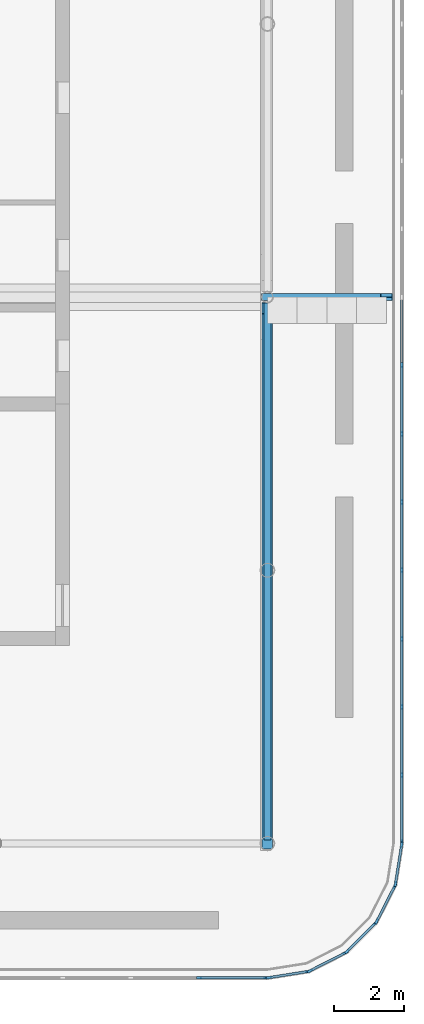
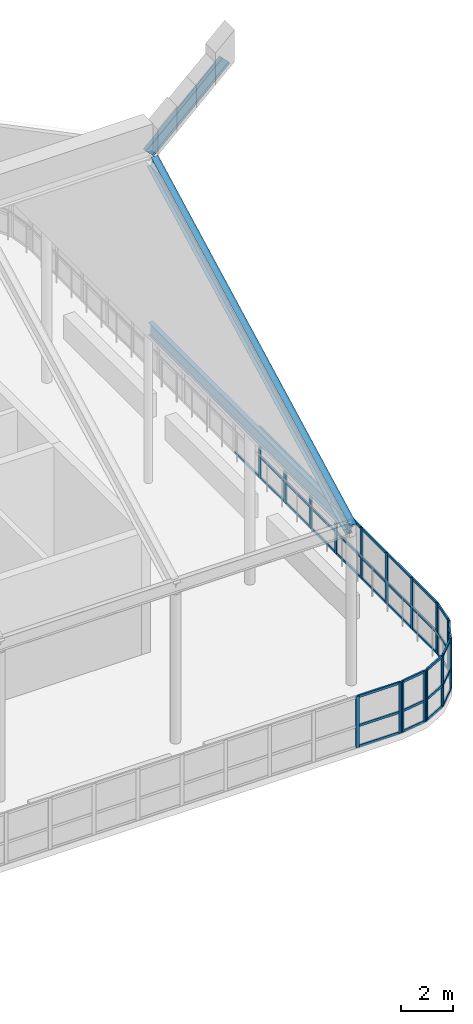
# One storey, part 9 of 19: 60 members, 3 beams, 7 elements without a shape of their own.
"""IFC4 building model written with IfcOpenShell, lengths in metres."""

import ifcopenshell
import ifcopenshell.guid

model = None  # the IFC model being written
_history = None  # IfcOwnerHistory: only IFC2X3 demands one
_inside = {}  # id of a spatial element -> (the spatial element, [elements in it])
_under = {}  # id of a project, library or spatial element -> (it, [spatial elements below it])
_declared = {}  # id of a project -> (the project, [libraries it declares])
_typed = {}  # id of a type object -> (the type object, [elements of that type])
_made_of = {}  # id of a material, layer set ... -> (it, [elements and type objects made of it])


def new_model(schema):
    """Start an empty IFC model of exactly this schema.

    Asked for "IFC4X3", IfcOpenShell would pick the latest addendum, in which some entities
    have other attributes; the version numbers below select the first issue.
    IFC2X3 requires an IfcOwnerHistory on every rooted entity: one is made here for all.
    """
    global model, _history
    if schema == "IFC4X3":
        model = ifcopenshell.file(schema_version=(4, 3, 0, 0))
    else:
        model = ifcopenshell.file(schema=schema)
    _inside.clear()
    _under.clear()
    _declared.clear()
    _typed.clear()
    _made_of.clear()
    _history = None
    if model.schema == "IFC2X3":
        org = make("IfcOrganization", Name="unknown")
        user = make(
            "IfcPersonAndOrganization",
            ThePerson=make("IfcPerson", FamilyName="unknown"),
            TheOrganization=org,
        )
        app = make(
            "IfcApplication",
            ApplicationDeveloper=org,
            Version="unknown",
            ApplicationFullName="unknown",
            ApplicationIdentifier="unknown",
        )
        _history = make(
            "IfcOwnerHistory",
            OwningUser=user,
            OwningApplication=app,
            ChangeAction="ADDED",
            CreationDate=0,
        )
    return model


def make(cls, **values):
    """One entity of the class cls with the attributes given. An attribute that is None is left unset."""
    return model.create_entity(
        cls, **{name: value for name, value in values.items() if value is not None}
    )


def rooted(cls, **values):
    """An entity with a GlobalId (a new one), such as an element, a storey or a relation."""
    return make(cls, GlobalId=ifcopenshell.guid.new(), OwnerHistory=_history, **values)


def si_unit(unit_type, name, prefix=None):
    """IfcSIUnit, for example si_unit("LENGTHUNIT", "METRE", prefix="MILLI")."""
    return make("IfcSIUnit", UnitType=unit_type, Prefix=prefix, Name=name)


def assignment(units):
    """IfcUnitAssignment: the units of a project."""
    return None if units is None else make("IfcUnitAssignment", Units=units)


def point(xyz):
    """IfcCartesianPoint."""
    return None if xyz is None else make("IfcCartesianPoint", Coordinates=xyz)


def direction(xyz):
    """IfcDirection."""
    return None if xyz is None else make("IfcDirection", DirectionRatios=xyz)


def frame(location, z_axis=None, x_axis=None):
    """IfcAxis2Placement3D, a coordinate frame: its origin and axes. An axis left out is left unset."""
    return make(
        "IfcAxis2Placement3D",
        Location=point(location),
        Axis=direction(z_axis),
        RefDirection=direction(x_axis),
    )


def frame_2d(location, x_axis=None):
    """IfcAxis2Placement2D, a coordinate frame in the plane: its origin and x axis."""
    return make(
        "IfcAxis2Placement2D", Location=point(location), RefDirection=direction(x_axis)
    )


def origin():
    """The frame at (0, 0, 0) with its axes left unset."""
    return frame((0.0, 0.0, 0.0))


def origin_2d():
    """The frame at (0, 0) in the plane with its x axis left unset."""
    return frame_2d((0.0, 0.0))


def place(relative_to, where):
    """IfcLocalPlacement: puts the frame where relative to a parent placement (None: the world)."""
    return make(
        "IfcLocalPlacement", PlacementRelTo=relative_to, RelativePlacement=where
    )


def context(
    kind, dimensions, precision=None, world=None, true_north=None, identifier=None
):
    """IfcGeometricRepresentationContext, for example the 3D "Model" context."""
    return make(
        "IfcGeometricRepresentationContext",
        ContextIdentifier=identifier,
        ContextType=kind,
        CoordinateSpaceDimension=dimensions,
        Precision=precision,
        WorldCoordinateSystem=world,
        TrueNorth=true_north,
    )


def subcontext(parent, identifier, kind, view, scale=None):
    """IfcGeometricRepresentationSubContext, for example "Body" below "Model"."""
    return make(
        "IfcGeometricRepresentationSubContext",
        ContextIdentifier=identifier,
        ContextType=kind,
        ParentContext=parent,
        TargetScale=scale,
        TargetView=view,
    )


def project(units=None, contexts=None):
    """IfcProject with its units and contexts."""
    return rooted(
        "IfcProject",
        Name="project",
        RepresentationContexts=contexts,
        UnitsInContext=assignment(units),
    )


def spatial(cls, under=None, at=None, **own):
    """A site, building, storey or space (cls), placed at a placement, below another one or the project."""
    s = rooted(cls, ObjectPlacement=at, **own)
    if under is not None:
        _under.setdefault(under.id(), (under, []))[1].append(s)
    return s


def profile(cls, at=None, kind="AREA", **sizes):
    """A parametric profile (cls). Its sizes go by their IFC names, for example OverallWidth=200.0."""
    return make(cls, ProfileType=kind, Position=at, **sizes)


def rectangle(**sizes):
    """IfcRectangleProfileDef."""
    return profile("IfcRectangleProfileDef", **sizes)


def i_section(**sizes):
    """IfcIShapeProfileDef."""
    return profile("IfcIShapeProfileDef", **sizes)


def extrude(swept, where, along, depth):
    """IfcExtrudedAreaSolid: the profile swept, set in the frame where, extruded along a direction by depth."""
    return make(
        "IfcExtrudedAreaSolid",
        SweptArea=swept,
        Position=where,
        ExtrudedDirection=direction(along),
        Depth=depth,
    )


def shape(context_of_items, identifier, shape_type, items):
    """IfcShapeRepresentation: the items that make up one representation, for example the "Body"."""
    return make(
        "IfcShapeRepresentation",
        ContextOfItems=context_of_items,
        RepresentationIdentifier=identifier,
        RepresentationType=shape_type,
        Items=items,
    )


def material(Name=None, Category=None):
    """IfcMaterial."""
    return make("IfcMaterial", Name=Name, Category=Category)


def material_profile(
    of_material, cross_section, Name=None, Category=None, Priority=None
):
    """IfcMaterialProfile: a cross section and its material."""
    return make(
        "IfcMaterialProfile",
        Name=Name,
        Material=of_material,
        Profile=cross_section,
        Priority=Priority,
        Category=Category,
    )


def profile_set(profiles, Name=None, composite=None):
    """IfcMaterialProfileSet."""
    return make(
        "IfcMaterialProfileSet",
        Name=Name,
        MaterialProfiles=profiles,
        CompositeProfile=composite,
    )


def made_of(thing, what):
    """Note that an element or type object is made of a material, layer set ...; save() writes the relation."""
    if what is not None:
        _made_of.setdefault(what.id(), (what, []))[1].append(thing)
    return thing


def type_object(cls, material=None, **own):
    """A type object (cls), such as IfcWallType, which elements share."""
    return made_of(rooted(cls, **own), material)


def element(
    cls,
    number,
    at=None,
    inside=None,
    cuts=None,
    type_object=None,
    material=None,
    context=None,
    identifier="Body",
    shape_type=None,
    held_by="IfcProductDefinitionShape",
    body=None,
    shapes=None,
    **own,
):
    """One element of the class cls, such as IfcWall. Its Tag is "e" and its number.

    at: its placement. inside: the storey or other place that contains it. cuts: it is an
    opening in that element (IfcRelVoidsElement). A single representation is given by context,
    identifier, shape_type and body (its items); several are given by shapes. held_by: the class
    of the entity that holds the representations. save() writes the other relations.
    """
    e = rooted(cls, Tag="e%d" % number, ObjectPlacement=at, **own)
    if body is not None:
        shapes = [shape(context, identifier, shape_type, body)]
    if shapes is not None:
        e.Representation = make(held_by, Representations=shapes)
    if inside is not None:
        _inside.setdefault(inside.id(), (inside, []))[1].append(e)
    if cuts is not None:
        rooted(
            "IfcRelVoidsElement", RelatingBuildingElement=cuts, RelatedOpeningElement=e
        )
    if type_object is not None:
        _typed.setdefault(type_object.id(), (type_object, []))[1].append(e)
    return made_of(e, material)


def aggregate(whole, parts):
    """IfcRelAggregates: a whole, such as a stair, and the parts it consists of."""
    return rooted("IfcRelAggregates", RelatingObject=whole, RelatedObjects=parts)


def save(model, path):
    """Write the relations noted so far, then the file.

    IfcRelAggregates (storeys below a building ...), IfcRelContainedInSpatialStructure (elements
    in a storey), IfcRelDefinesByType, IfcRelAssociatesMaterial and IfcRelDeclares: one each for
    every whole, place, type object, material and project.
    """
    for whole, parts in _under.values():
        aggregate(whole, parts)
    for where, things in _inside.values():
        rooted(
            "IfcRelContainedInSpatialStructure",
            RelatedElements=things,
            RelatingStructure=where,
        )
    for kind, things in _typed.values():
        rooted("IfcRelDefinesByType", RelatedObjects=things, RelatingType=kind)
    for what, things in _made_of.values():
        rooted("IfcRelAssociatesMaterial", RelatedObjects=things, RelatingMaterial=what)
    for by, libraries in _declared.values():
        rooted("IfcRelDeclares", RelatingContext=by, RelatedDefinitions=libraries)
    model.write(path)


model = new_model("IFC4")

# Units and contexts
model_context = context("Model", 3, precision=1e-05, world=origin(), true_north=direction((0.0, 1.0)))
body_context = subcontext(model_context, "Body", "Model", "MODEL_VIEW")
ifc_project = project(units=[si_unit("LENGTHUNIT", "METRE"), si_unit("AREAUNIT", "SQUARE_METRE"), si_unit("VOLUMEUNIT", "CUBIC_METRE"), si_unit("PLANEANGLEUNIT", "RADIAN"), si_unit("MASSUNIT", "GRAM", prefix="KILO")], contexts=[model_context])

# Site, building, storey
site_placement = place(None, origin())
site = spatial("IfcSite", under=ifc_project, at=site_placement, CompositionType="ELEMENT")
building_placement = place(site_placement, origin())
building = spatial("IfcBuilding", under=site, at=building_placement, Name="Ludao Terraces", CompositionType="ELEMENT")
storey_placement = place(building_placement, frame((0.0, 0.0, 266.39990234375)))
storey = spatial("IfcBuildingStorey", under=building, at=storey_placement, Name="L73", CompositionType="ELEMENT", Elevation=266.39990234375)

# Beams
ifc_material_1 = material(Name="Steel Q355", Category="steel")
ifc_material_profile_1 = material_profile(ifc_material_1, i_section(OverallWidth=0.199951171875, OverallDepth=0.60009765625, WebThickness=0.010986328125, FlangeThickness=0.01708984375, at=origin_2d()), Name="HN 600X200X11X17")
ifc_profile_set_1 = profile_set([ifc_material_profile_1], Name="Steel Q355")
beam_type_1 = type_object("IfcBeamType", Name="Canopy eave beam HN 600x200x11x17 Q355", PredefinedType="BEAM", material=ifc_profile_set_1)
beam_1_placement = place(storey_placement, frame((100.60009765625, 49.5, 7.29541015625), z_axis=(0.0, 1.0, 0.0), x_axis=(-1.0, 0.0, 0.0)))
element("IfcBeam", 1, at=beam_1_placement, inside=storey, type_object=beam_type_1, Name="Gable tie beam E south", PredefinedType="BEAM", context=body_context, shape_type="SweptSolid", body=[
    extrude(i_section(OverallWidth=0.199951171875, OverallDepth=0.60009765625, WebThickness=0.010986328125, FlangeThickness=0.01708984375, at=origin_2d()), origin(), (0.0, 0.0, 1.0), 15.33251953125),
])
ifc_material_profile_2 = material_profile(ifc_material_1, i_section(OverallWidth=0.300048828125, OverallDepth=0.699951171875, WebThickness=0.012939453125, FlangeThickness=0.02392578125, at=origin_2d()), Name="HN 700X300X13X24")
ifc_profile_set_2 = profile_set([ifc_material_profile_2], Name="Steel Q355")
beam_type_2 = type_object("IfcBeamType", Name="Canopy rafter HN 700x300x13x24 Q355", PredefinedType="BEAM", material=ifc_profile_set_2)
beam_2_placement = place(storey_placement, frame((100.60009765625, 49.39990234375, 7.2001953125), z_axis=(0.0, 0.885170238138, 0.465267288249), x_axis=(-1.0, 0.0, 0.0)))
element("IfcBeam", 2, at=beam_2_placement, inside=storey, type_object=beam_type_2, Name="Canopy rafter south 390", PredefinedType="BEAM", context=body_context, shape_type="SweptSolid", body=[
    extrude(i_section(OverallWidth=0.300048828125, OverallDepth=0.699951171875, WebThickness=0.012939453125, FlangeThickness=0.02392578125, at=origin_2d()), origin(), (0.0, 0.0, 1.0), 17.2646484375),
])
ifc_material_profile_3 = material_profile(ifc_material_1, i_section(OverallWidth=0.199951171875, OverallDepth=0.5, WebThickness=0.010009765625, FlangeThickness=0.01611328125, at=origin_2d()), Name="HN 500X200X10X16")
ifc_profile_set_3 = profile_set([ifc_material_profile_3], Name="Steel Q355")
beam_type_3 = type_object("IfcBeamType", Name="Canopy tail beam HN 500x200x10x16 Q355", PredefinedType="BEAM", material=ifc_profile_set_3)
beam_3_placement = place(storey_placement, frame((100.60009765625, 65.0, 15.401611328125), z_axis=(0.728351985283, 0.0, 0.685203170989), x_axis=(0.0, 1.0, 0.0)))
element("IfcBeam", 3, at=beam_3_placement, inside=storey, type_object=beam_type_3, Name="Canopy tail east", PredefinedType="BEAM", context=body_context, shape_type="SweptSolid", body=[
    extrude(i_section(OverallWidth=0.199951171875, OverallDepth=0.5, WebThickness=0.010009765625, FlangeThickness=0.01611328125, at=origin_2d()), origin(), (0.0, 0.0, 1.0), 4.66796875),
])

# Curtain wall, members
ifc_material_2 = material(Name="Aluminium curtain wall with fritted glass", Category="aluminium")
curtain_wall_type = type_object("IfcCurtainWallType", Name="ENV CW6 crown screen glazing", PredefinedType="NOTDEFINED", material=ifc_material_2)
curtain_wall_1_placement = place(storey_placement, origin())
curtain_wall_1 = element("IfcCurtainWall", 4, at=curtain_wall_1_placement, inside=storey, type_object=curtain_wall_type, Name="Deck windscreen S1", PredefinedType="NOTDEFINED")
ifc_material_3 = material(Name="Aluminium 6063-T6", Category="aluminium")
ifc_material_profile_4 = material_profile(ifc_material_3, rectangle(XDim=0.070068359375, YDim=0.159912109375, at=origin_2d()), Name="70 X 160")
ifc_profile_set_4 = profile_set([ifc_material_profile_4], Name="Aluminium 6063-T6")
member_type_1 = type_object("IfcMemberType", Name="ENV CW6 mullion 70x160", PredefinedType="MULLION", material=ifc_profile_set_4)
member_1_placement = place(storey_placement, frame((98.64990234375, 45.56005859375, 0.0), z_axis=(0.0, 0.0, 1.0), x_axis=(0.0, 1.0, 0.0)))
member_1 = element("IfcMember", 5, at=member_1_placement, type_object=member_type_1, Name="CW6 mullion 16", PredefinedType="MULLION", context=body_context, shape_type="SweptSolid", body=[
    extrude(rectangle(XDim=0.070068359375, YDim=0.159912109375, at=origin_2d()), origin(), (0.0, 0.0, 1.0), 2.400146484375),
])
member_2_placement = place(storey_placement, frame((100.56494140625, 45.56005859375, 0.0), z_axis=(0.0, 0.0, 1.0), x_axis=(0.0, 1.0, 0.0)))
member_2 = element("IfcMember", 6, at=member_2_placement, type_object=member_type_1, Name="CW6 mullion 17", PredefinedType="MULLION", context=body_context, shape_type="SweptSolid", body=[
    extrude(rectangle(XDim=0.070068359375, YDim=0.159912109375, at=origin_2d()), origin(), (0.0, 0.0, 1.0), 2.400146484375),
])

curtain_wall_2_placement = place(storey_placement, origin())
curtain_wall_2 = element("IfcCurtainWall", 7, at=curtain_wall_2_placement, inside=storey, type_object=curtain_wall_type, Name="Deck windscreen E1", PredefinedType="NOTDEFINED")
member_3_placement = place(storey_placement, frame((104.43994140625, 49.43505859375, 0.0), z_axis=(0.0, 0.0, 1.0), x_axis=(-1.0, 0.0, 0.0)))
member_3 = element("IfcMember", 8, at=member_3_placement, type_object=member_type_1, Name="CW6 mullion 1", PredefinedType="MULLION", context=body_context, shape_type="SweptSolid", body=[
    extrude(rectangle(XDim=0.070068359375, YDim=0.159912109375, at=origin_2d()), origin(), (0.0, 0.0, 1.0), 2.400146484375),
])
member_4_placement = place(storey_placement, frame((104.43994140625, 51.35009765625, 0.0), z_axis=(0.0, 0.0, 1.0), x_axis=(-1.0, 0.0, 0.0)))
member_4 = element("IfcMember", 9, at=member_4_placement, type_object=member_type_1, Name="CW6 mullion 2", PredefinedType="MULLION", context=body_context, shape_type="SweptSolid", body=[
    extrude(rectangle(XDim=0.070068359375, YDim=0.159912109375, at=origin_2d()), origin(), (0.0, 0.0, 1.0), 2.400146484375),
])
member_5_placement = place(storey_placement, frame((104.43994140625, 53.300048828125, 0.0), z_axis=(0.0, 0.0, 1.0), x_axis=(-1.0, 0.0, 0.0)))
member_5 = element("IfcMember", 10, at=member_5_placement, type_object=member_type_1, Name="CW6 mullion 3", PredefinedType="MULLION", context=body_context, shape_type="SweptSolid", body=[
    extrude(rectangle(XDim=0.070068359375, YDim=0.159912109375, at=origin_2d()), origin(), (0.0, 0.0, 1.0), 2.400146484375),
])
member_6_placement = place(storey_placement, frame((104.43994140625, 55.25, 0.0), z_axis=(0.0, 0.0, 1.0), x_axis=(-1.0, 0.0, 0.0)))
member_6 = element("IfcMember", 11, at=member_6_placement, type_object=member_type_1, Name="CW6 mullion 4", PredefinedType="MULLION", context=body_context, shape_type="SweptSolid", body=[
    extrude(rectangle(XDim=0.070068359375, YDim=0.159912109375, at=origin_2d()), origin(), (0.0, 0.0, 1.0), 2.400146484375),
])
member_7_placement = place(storey_placement, frame((104.43994140625, 57.199951171875, 0.0), z_axis=(0.0, 0.0, 1.0), x_axis=(-1.0, 0.0, 0.0)))
member_7 = element("IfcMember", 12, at=member_7_placement, type_object=member_type_1, Name="CW6 mullion 5", PredefinedType="MULLION", context=body_context, shape_type="SweptSolid", body=[
    extrude(rectangle(XDim=0.070068359375, YDim=0.159912109375, at=origin_2d()), origin(), (0.0, 0.0, 1.0), 2.400146484375),
])
member_8_placement = place(storey_placement, frame((104.43994140625, 59.14990234375, 0.0), z_axis=(0.0, 0.0, 1.0), x_axis=(-1.0, 0.0, 0.0)))
member_8 = element("IfcMember", 13, at=member_8_placement, type_object=member_type_1, Name="CW6 mullion 6", PredefinedType="MULLION", context=body_context, shape_type="SweptSolid", body=[
    extrude(rectangle(XDim=0.070068359375, YDim=0.159912109375, at=origin_2d()), origin(), (0.0, 0.0, 1.0), 2.400146484375),
])
member_9_placement = place(storey_placement, frame((104.43994140625, 61.10009765625, 0.0), z_axis=(0.0, 0.0, 1.0), x_axis=(-1.0, 0.0, 0.0)))
member_9 = element("IfcMember", 14, at=member_9_placement, type_object=member_type_1, Name="CW6 mullion 7", PredefinedType="MULLION", context=body_context, shape_type="SweptSolid", body=[
    extrude(rectangle(XDim=0.070068359375, YDim=0.159912109375, at=origin_2d()), origin(), (0.0, 0.0, 1.0), 2.400146484375),
])
member_10_placement = place(storey_placement, frame((104.43994140625, 63.050048828125, 0.0), z_axis=(0.0, 0.0, 1.0), x_axis=(-1.0, 0.0, 0.0)))
member_10 = element("IfcMember", 15, at=member_10_placement, type_object=member_type_1, Name="CW6 mullion 8", PredefinedType="MULLION", context=body_context, shape_type="SweptSolid", body=[
    extrude(rectangle(XDim=0.070068359375, YDim=0.159912109375, at=origin_2d()), origin(), (0.0, 0.0, 1.0), 2.400146484375),
])

curtain_wall_3_placement = place(storey_placement, origin())
curtain_wall_3 = element("IfcCurtainWall", 16, at=curtain_wall_3_placement, inside=storey, type_object=curtain_wall_type, Name="Deck windscreen SE1", PredefinedType="NOTDEFINED")
member_11_placement = place(storey_placement, frame((100.634521484375, 45.5654296875, 0.0), z_axis=(0.0, 0.0, 1.0), x_axis=(-0.1564345166, 0.987688332429, 0.0)))
member_11 = element("IfcMember", 17, at=member_11_placement, type_object=member_type_1, Name="CW6 mullion 1", PredefinedType="MULLION", context=body_context, shape_type="SweptSolid", body=[
    extrude(rectangle(XDim=0.070068359375, YDim=0.159912109375, at=origin_2d()), origin(), (0.0, 0.0, 1.0), 2.400146484375),
])
member_12_placement = place(storey_placement, frame((101.751953125, 45.742431640625, 0.0), z_axis=(0.0, 0.0, 1.0), x_axis=(-0.1564345166, 0.987688332429, 0.0)))
member_12 = element("IfcMember", 18, at=member_12_placement, type_object=member_type_1, Name="CW6 mullion 2", PredefinedType="MULLION", context=body_context, shape_type="SweptSolid", body=[
    extrude(rectangle(XDim=0.070068359375, YDim=0.159912109375, at=origin_2d()), origin(), (0.0, 0.0, 1.0), 2.400146484375),
])

curtain_wall_4_placement = place(storey_placement, origin())
curtain_wall_4 = element("IfcCurtainWall", 19, at=curtain_wall_4_placement, inside=storey, type_object=curtain_wall_type, Name="Deck windscreen SE2", PredefinedType="NOTDEFINED")
member_13_placement = place(storey_placement, frame((101.81787109375, 45.763916015625, 0.0), z_axis=(0.0, 0.0, 1.0), x_axis=(-0.453990692743, 0.891006425848, 0.0)))
member_13 = element("IfcMember", 20, at=member_13_placement, type_object=member_type_1, Name="CW6 mullion 1", PredefinedType="MULLION", context=body_context, shape_type="SweptSolid", body=[
    extrude(rectangle(XDim=0.070068359375, YDim=0.159912109375, at=origin_2d()), origin(), (0.0, 0.0, 1.0), 2.400146484375),
])
member_14_placement = place(storey_placement, frame((102.825927734375, 46.277587890625, 0.0), z_axis=(0.0, 0.0, 1.0), x_axis=(-0.453990692743, 0.891006425848, 0.0)))
member_14 = element("IfcMember", 21, at=member_14_placement, type_object=member_type_1, Name="CW6 mullion 2", PredefinedType="MULLION", context=body_context, shape_type="SweptSolid", body=[
    extrude(rectangle(XDim=0.070068359375, YDim=0.159912109375, at=origin_2d()), origin(), (0.0, 0.0, 1.0), 2.400146484375),
])

curtain_wall_5_placement = place(storey_placement, origin())
curtain_wall_5 = element("IfcCurtainWall", 22, at=curtain_wall_5_placement, inside=storey, type_object=curtain_wall_type, Name="Deck windscreen SE3", PredefinedType="NOTDEFINED")
member_15_placement = place(storey_placement, frame((102.8818359375, 46.318115234375, 0.0), z_axis=(0.0, 0.0, 1.0), x_axis=(-0.707106781187, 0.707106781187, 0.0)))
member_15 = element("IfcMember", 23, at=member_15_placement, type_object=member_type_1, Name="CW6 mullion 1", PredefinedType="MULLION", context=body_context, shape_type="SweptSolid", body=[
    extrude(rectangle(XDim=0.070068359375, YDim=0.159912109375, at=origin_2d()), origin(), (0.0, 0.0, 1.0), 2.400146484375),
])
member_16_placement = place(storey_placement, frame((103.681884765625, 47.1181640625, 0.0), z_axis=(0.0, 0.0, 1.0), x_axis=(-0.707106781187, 0.707106781187, 0.0)))
member_16 = element("IfcMember", 24, at=member_16_placement, type_object=member_type_1, Name="CW6 mullion 2", PredefinedType="MULLION", context=body_context, shape_type="SweptSolid", body=[
    extrude(rectangle(XDim=0.070068359375, YDim=0.159912109375, at=origin_2d()), origin(), (0.0, 0.0, 1.0), 2.400146484375),
])

curtain_wall_6_placement = place(storey_placement, origin())
curtain_wall_6 = element("IfcCurtainWall", 25, at=curtain_wall_6_placement, inside=storey, type_object=curtain_wall_type, Name="Deck windscreen SE4", PredefinedType="NOTDEFINED")
member_17_placement = place(storey_placement, frame((103.722412109375, 47.174072265625, 0.0), z_axis=(0.0, 0.0, 1.0), x_axis=(-0.891006425848, 0.453990692743, 0.0)))
member_17 = element("IfcMember", 26, at=member_17_placement, type_object=member_type_1, Name="CW6 mullion 1", PredefinedType="MULLION", context=body_context, shape_type="SweptSolid", body=[
    extrude(rectangle(XDim=0.070068359375, YDim=0.159912109375, at=origin_2d()), origin(), (0.0, 0.0, 1.0), 2.400146484375),
])
member_18_placement = place(storey_placement, frame((104.236083984375, 48.18212890625, 0.0), z_axis=(0.0, 0.0, 1.0), x_axis=(-0.891006425848, 0.453990692743, 0.0)))
member_18 = element("IfcMember", 27, at=member_18_placement, type_object=member_type_1, Name="CW6 mullion 2", PredefinedType="MULLION", context=body_context, shape_type="SweptSolid", body=[
    extrude(rectangle(XDim=0.070068359375, YDim=0.159912109375, at=origin_2d()), origin(), (0.0, 0.0, 1.0), 2.400146484375),
])

curtain_wall_7_placement = place(storey_placement, origin())
curtain_wall_7 = element("IfcCurtainWall", 28, at=curtain_wall_7_placement, inside=storey, type_object=curtain_wall_type, Name="Deck windscreen SE5", PredefinedType="NOTDEFINED")
member_19_placement = place(storey_placement, frame((104.257568359375, 48.248046875, 0.0), z_axis=(0.0, 0.0, 1.0), x_axis=(-0.987688332429, 0.1564345166, 0.0)))
member_19 = element("IfcMember", 29, at=member_19_placement, type_object=member_type_1, Name="CW6 mullion 1", PredefinedType="MULLION", context=body_context, shape_type="SweptSolid", body=[
    extrude(rectangle(XDim=0.070068359375, YDim=0.159912109375, at=origin_2d()), origin(), (0.0, 0.0, 1.0), 2.400146484375),
])
member_20_placement = place(storey_placement, frame((104.4345703125, 49.365478515625, 0.0), z_axis=(0.0, 0.0, 1.0), x_axis=(-0.987688332429, 0.1564345166, 0.0)))
member_20 = element("IfcMember", 30, at=member_20_placement, type_object=member_type_1, Name="CW6 mullion 2", PredefinedType="MULLION", context=body_context, shape_type="SweptSolid", body=[
    extrude(rectangle(XDim=0.070068359375, YDim=0.159912109375, at=origin_2d()), origin(), (0.0, 0.0, 1.0), 2.400146484375),
])

# Member
ifc_material_profile_5 = material_profile(ifc_material_3, rectangle(XDim=0.070068359375, YDim=0.110107421875, at=origin_2d()), Name="70 X 110")
ifc_profile_set_5 = profile_set([ifc_material_profile_5], Name="Aluminium 6063-T6")
member_type_2 = type_object("IfcMemberType", Name="ENV CW6 transom 70x110", PredefinedType="USERDEFINED", material=ifc_profile_set_5)
member_21_placement = place(storey_placement, frame((98.68505859375, 45.56005859375, 0.03515625), z_axis=(1.0, 0.0, 0.0), x_axis=(0.0, 1.0, 0.0)))
member_21 = element("IfcMember", 31, at=member_21_placement, type_object=member_type_2, Name="CW6 transom 16.1", ObjectType="TRANSOM", PredefinedType="USERDEFINED", context=body_context, shape_type="SweptSolid", body=[
    extrude(rectangle(XDim=0.070068359375, YDim=0.110107421875, at=origin_2d()), origin(), (0.0, 0.0, 1.0), 1.844970703125),
])

member_22_placement = place(storey_placement, frame((98.68505859375, 45.56005859375, 1.0), z_axis=(1.0, 0.0, 0.0), x_axis=(0.0, 1.0, 0.0)))
member_22 = element("IfcMember", 32, at=member_22_placement, type_object=member_type_2, Name="CW6 transom 16.2", ObjectType="TRANSOM", PredefinedType="USERDEFINED", context=body_context, shape_type="SweptSolid", body=[
    extrude(rectangle(XDim=0.070068359375, YDim=0.110107421875, at=origin_2d()), origin(), (0.0, 0.0, 1.0), 1.844970703125),
])

member_23_placement = place(storey_placement, frame((98.68505859375, 45.56005859375, 2.364990234375), z_axis=(1.0, 0.0, 0.0), x_axis=(0.0, 1.0, 0.0)))
member_23 = element("IfcMember", 33, at=member_23_placement, type_object=member_type_2, Name="CW6 transom 16.3", ObjectType="TRANSOM", PredefinedType="USERDEFINED", context=body_context, shape_type="SweptSolid", body=[
    extrude(rectangle(XDim=0.070068359375, YDim=0.110107421875, at=origin_2d()), origin(), (0.0, 0.0, 1.0), 1.844970703125),
])

aggregate(curtain_wall_1, [member_1, member_2, member_21, member_22, member_23])

member_24_placement = place(storey_placement, frame((104.43994140625, 49.469970703125, 0.03515625), z_axis=(0.0, 1.0, 0.0), x_axis=(-1.0, 0.0, 0.0)))
member_24 = element("IfcMember", 34, at=member_24_placement, type_object=member_type_2, Name="CW6 transom 1.1", ObjectType="TRANSOM", PredefinedType="USERDEFINED", context=body_context, shape_type="SweptSolid", body=[
    extrude(rectangle(XDim=0.070068359375, YDim=0.110107421875, at=origin_2d()), origin(), (0.0, 0.0, 1.0), 1.844970703125),
])

member_25_placement = place(storey_placement, frame((104.43994140625, 49.469970703125, 1.0), z_axis=(0.0, 1.0, 0.0), x_axis=(-1.0, 0.0, 0.0)))
member_25 = element("IfcMember", 35, at=member_25_placement, type_object=member_type_2, Name="CW6 transom 1.2", ObjectType="TRANSOM", PredefinedType="USERDEFINED", context=body_context, shape_type="SweptSolid", body=[
    extrude(rectangle(XDim=0.070068359375, YDim=0.110107421875, at=origin_2d()), origin(), (0.0, 0.0, 1.0), 1.844970703125),
])

member_26_placement = place(storey_placement, frame((104.43994140625, 49.469970703125, 2.364990234375), z_axis=(0.0, 1.0, 0.0), x_axis=(-1.0, 0.0, 0.0)))
member_26 = element("IfcMember", 36, at=member_26_placement, type_object=member_type_2, Name="CW6 transom 1.3", ObjectType="TRANSOM", PredefinedType="USERDEFINED", context=body_context, shape_type="SweptSolid", body=[
    extrude(rectangle(XDim=0.070068359375, YDim=0.110107421875, at=origin_2d()), origin(), (0.0, 0.0, 1.0), 1.844970703125),
])

member_27_placement = place(storey_placement, frame((104.43994140625, 51.385009765625, 0.03515625), z_axis=(0.0, 1.0, 0.0), x_axis=(-1.0, 0.0, 0.0)))
member_27 = element("IfcMember", 37, at=member_27_placement, type_object=member_type_2, Name="CW6 transom 2.1", ObjectType="TRANSOM", PredefinedType="USERDEFINED", context=body_context, shape_type="SweptSolid", body=[
    extrude(rectangle(XDim=0.070068359375, YDim=0.110107421875, at=origin_2d()), origin(), (0.0, 0.0, 1.0), 1.8798828125),
])

member_28_placement = place(storey_placement, frame((104.43994140625, 51.385009765625, 1.0), z_axis=(0.0, 1.0, 0.0), x_axis=(-1.0, 0.0, 0.0)))
member_28 = element("IfcMember", 38, at=member_28_placement, type_object=member_type_2, Name="CW6 transom 2.2", ObjectType="TRANSOM", PredefinedType="USERDEFINED", context=body_context, shape_type="SweptSolid", body=[
    extrude(rectangle(XDim=0.070068359375, YDim=0.110107421875, at=origin_2d()), origin(), (0.0, 0.0, 1.0), 1.8798828125),
])

member_29_placement = place(storey_placement, frame((104.43994140625, 51.385009765625, 2.364990234375), z_axis=(0.0, 1.0, 0.0), x_axis=(-1.0, 0.0, 0.0)))
member_29 = element("IfcMember", 39, at=member_29_placement, type_object=member_type_2, Name="CW6 transom 2.3", ObjectType="TRANSOM", PredefinedType="USERDEFINED", context=body_context, shape_type="SweptSolid", body=[
    extrude(rectangle(XDim=0.070068359375, YDim=0.110107421875, at=origin_2d()), origin(), (0.0, 0.0, 1.0), 1.8798828125),
])

member_30_placement = place(storey_placement, frame((104.43994140625, 53.3349609375, 0.03515625), z_axis=(0.0, 1.0, 0.0), x_axis=(-1.0, 0.0, 0.0)))
member_30 = element("IfcMember", 40, at=member_30_placement, type_object=member_type_2, Name="CW6 transom 3.1", ObjectType="TRANSOM", PredefinedType="USERDEFINED", context=body_context, shape_type="SweptSolid", body=[
    extrude(rectangle(XDim=0.070068359375, YDim=0.110107421875, at=origin_2d()), origin(), (0.0, 0.0, 1.0), 1.880126953125),
])

member_31_placement = place(storey_placement, frame((104.43994140625, 53.3349609375, 1.0), z_axis=(0.0, 1.0, 0.0), x_axis=(-1.0, 0.0, 0.0)))
member_31 = element("IfcMember", 41, at=member_31_placement, type_object=member_type_2, Name="CW6 transom 3.2", ObjectType="TRANSOM", PredefinedType="USERDEFINED", context=body_context, shape_type="SweptSolid", body=[
    extrude(rectangle(XDim=0.070068359375, YDim=0.110107421875, at=origin_2d()), origin(), (0.0, 0.0, 1.0), 1.880126953125),
])

member_32_placement = place(storey_placement, frame((104.43994140625, 53.3349609375, 2.364990234375), z_axis=(0.0, 1.0, 0.0), x_axis=(-1.0, 0.0, 0.0)))
member_32 = element("IfcMember", 42, at=member_32_placement, type_object=member_type_2, Name="CW6 transom 3.3", ObjectType="TRANSOM", PredefinedType="USERDEFINED", context=body_context, shape_type="SweptSolid", body=[
    extrude(rectangle(XDim=0.070068359375, YDim=0.110107421875, at=origin_2d()), origin(), (0.0, 0.0, 1.0), 1.880126953125),
])

member_33_placement = place(storey_placement, frame((104.43994140625, 55.284912109375, 0.03515625), z_axis=(0.0, 1.0, 0.0), x_axis=(-1.0, 0.0, 0.0)))
member_33 = element("IfcMember", 43, at=member_33_placement, type_object=member_type_2, Name="CW6 transom 4.1", ObjectType="TRANSOM", PredefinedType="USERDEFINED", context=body_context, shape_type="SweptSolid", body=[
    extrude(rectangle(XDim=0.070068359375, YDim=0.110107421875, at=origin_2d()), origin(), (0.0, 0.0, 1.0), 1.880126953125),
])

member_34_placement = place(storey_placement, frame((104.43994140625, 55.284912109375, 1.0), z_axis=(0.0, 1.0, 0.0), x_axis=(-1.0, 0.0, 0.0)))
member_34 = element("IfcMember", 44, at=member_34_placement, type_object=member_type_2, Name="CW6 transom 4.2", ObjectType="TRANSOM", PredefinedType="USERDEFINED", context=body_context, shape_type="SweptSolid", body=[
    extrude(rectangle(XDim=0.070068359375, YDim=0.110107421875, at=origin_2d()), origin(), (0.0, 0.0, 1.0), 1.880126953125),
])

member_35_placement = place(storey_placement, frame((104.43994140625, 55.284912109375, 2.364990234375), z_axis=(0.0, 1.0, 0.0), x_axis=(-1.0, 0.0, 0.0)))
member_35 = element("IfcMember", 45, at=member_35_placement, type_object=member_type_2, Name="CW6 transom 4.3", ObjectType="TRANSOM", PredefinedType="USERDEFINED", context=body_context, shape_type="SweptSolid", body=[
    extrude(rectangle(XDim=0.070068359375, YDim=0.110107421875, at=origin_2d()), origin(), (0.0, 0.0, 1.0), 1.880126953125),
])

member_36_placement = place(storey_placement, frame((104.43994140625, 57.235107421875, 0.03515625), z_axis=(0.0, 1.0, 0.0), x_axis=(-1.0, 0.0, 0.0)))
member_36 = element("IfcMember", 46, at=member_36_placement, type_object=member_type_2, Name="CW6 transom 5.1", ObjectType="TRANSOM", PredefinedType="USERDEFINED", context=body_context, shape_type="SweptSolid", body=[
    extrude(rectangle(XDim=0.070068359375, YDim=0.110107421875, at=origin_2d()), origin(), (0.0, 0.0, 1.0), 1.8798828125),
])

member_37_placement = place(storey_placement, frame((104.43994140625, 57.235107421875, 1.0), z_axis=(0.0, 1.0, 0.0), x_axis=(-1.0, 0.0, 0.0)))
member_37 = element("IfcMember", 47, at=member_37_placement, type_object=member_type_2, Name="CW6 transom 5.2", ObjectType="TRANSOM", PredefinedType="USERDEFINED", context=body_context, shape_type="SweptSolid", body=[
    extrude(rectangle(XDim=0.070068359375, YDim=0.110107421875, at=origin_2d()), origin(), (0.0, 0.0, 1.0), 1.8798828125),
])

member_38_placement = place(storey_placement, frame((104.43994140625, 57.235107421875, 2.364990234375), z_axis=(0.0, 1.0, 0.0), x_axis=(-1.0, 0.0, 0.0)))
member_38 = element("IfcMember", 48, at=member_38_placement, type_object=member_type_2, Name="CW6 transom 5.3", ObjectType="TRANSOM", PredefinedType="USERDEFINED", context=body_context, shape_type="SweptSolid", body=[
    extrude(rectangle(XDim=0.070068359375, YDim=0.110107421875, at=origin_2d()), origin(), (0.0, 0.0, 1.0), 1.8798828125),
])

member_39_placement = place(storey_placement, frame((104.43994140625, 59.18505859375, 0.03515625), z_axis=(0.0, 1.0, 0.0), x_axis=(-1.0, 0.0, 0.0)))
member_39 = element("IfcMember", 49, at=member_39_placement, type_object=member_type_2, Name="CW6 transom 6.1", ObjectType="TRANSOM", PredefinedType="USERDEFINED", context=body_context, shape_type="SweptSolid", body=[
    extrude(rectangle(XDim=0.070068359375, YDim=0.110107421875, at=origin_2d()), origin(), (0.0, 0.0, 1.0), 1.8798828125),
])

member_40_placement = place(storey_placement, frame((104.43994140625, 59.18505859375, 1.0), z_axis=(0.0, 1.0, 0.0), x_axis=(-1.0, 0.0, 0.0)))
member_40 = element("IfcMember", 50, at=member_40_placement, type_object=member_type_2, Name="CW6 transom 6.2", ObjectType="TRANSOM", PredefinedType="USERDEFINED", context=body_context, shape_type="SweptSolid", body=[
    extrude(rectangle(XDim=0.070068359375, YDim=0.110107421875, at=origin_2d()), origin(), (0.0, 0.0, 1.0), 1.8798828125),
])

member_41_placement = place(storey_placement, frame((104.43994140625, 59.18505859375, 2.364990234375), z_axis=(0.0, 1.0, 0.0), x_axis=(-1.0, 0.0, 0.0)))
member_41 = element("IfcMember", 51, at=member_41_placement, type_object=member_type_2, Name="CW6 transom 6.3", ObjectType="TRANSOM", PredefinedType="USERDEFINED", context=body_context, shape_type="SweptSolid", body=[
    extrude(rectangle(XDim=0.070068359375, YDim=0.110107421875, at=origin_2d()), origin(), (0.0, 0.0, 1.0), 1.8798828125),
])

member_42_placement = place(storey_placement, frame((104.43994140625, 61.135009765625, 0.03515625), z_axis=(0.0, 1.0, 0.0), x_axis=(-1.0, 0.0, 0.0)))
member_42 = element("IfcMember", 52, at=member_42_placement, type_object=member_type_2, Name="CW6 transom 7.1", ObjectType="TRANSOM", PredefinedType="USERDEFINED", context=body_context, shape_type="SweptSolid", body=[
    extrude(rectangle(XDim=0.070068359375, YDim=0.110107421875, at=origin_2d()), origin(), (0.0, 0.0, 1.0), 1.8798828125),
])

member_43_placement = place(storey_placement, frame((104.43994140625, 61.135009765625, 1.0), z_axis=(0.0, 1.0, 0.0), x_axis=(-1.0, 0.0, 0.0)))
member_43 = element("IfcMember", 53, at=member_43_placement, type_object=member_type_2, Name="CW6 transom 7.2", ObjectType="TRANSOM", PredefinedType="USERDEFINED", context=body_context, shape_type="SweptSolid", body=[
    extrude(rectangle(XDim=0.070068359375, YDim=0.110107421875, at=origin_2d()), origin(), (0.0, 0.0, 1.0), 1.8798828125),
])

member_44_placement = place(storey_placement, frame((104.43994140625, 61.135009765625, 2.364990234375), z_axis=(0.0, 1.0, 0.0), x_axis=(-1.0, 0.0, 0.0)))
member_44 = element("IfcMember", 54, at=member_44_placement, type_object=member_type_2, Name="CW6 transom 7.3", ObjectType="TRANSOM", PredefinedType="USERDEFINED", context=body_context, shape_type="SweptSolid", body=[
    extrude(rectangle(XDim=0.070068359375, YDim=0.110107421875, at=origin_2d()), origin(), (0.0, 0.0, 1.0), 1.8798828125),
])

member_45_placement = place(storey_placement, frame((104.43994140625, 63.0849609375, 0.03515625), z_axis=(0.0, 1.0, 0.0), x_axis=(-1.0, 0.0, 0.0)))
member_45 = element("IfcMember", 55, at=member_45_placement, type_object=member_type_2, Name="CW6 transom 8.1", ObjectType="TRANSOM", PredefinedType="USERDEFINED", context=body_context, shape_type="SweptSolid", body=[
    extrude(rectangle(XDim=0.070068359375, YDim=0.110107421875, at=origin_2d()), origin(), (0.0, 0.0, 1.0), 1.880126953125),
])

aggregate(curtain_wall_2, [member_3, member_4, member_5, member_6, member_7, member_8, member_9, member_10, member_24, member_25, member_26, member_27, member_28, member_29, member_30, member_31, member_32, member_33, member_34, member_35, member_36, member_37, member_38, member_39, member_40, member_41, member_42, member_43, member_44, member_45])

member_46_placement = place(storey_placement, frame((100.669189453125, 45.571044921875, 0.03515625), z_axis=(0.98769199332, 0.156411400898, 0.0), x_axis=(-0.156411400898, 0.98769199332, 0.0)))
member_46 = element("IfcMember", 56, at=member_46_placement, type_object=member_type_2, Name="CW6 transom 1.1", ObjectType="TRANSOM", PredefinedType="USERDEFINED", context=body_context, shape_type="SweptSolid", body=[
    extrude(rectangle(XDim=0.070068359375, YDim=0.110107421875, at=origin_2d()), origin(), (0.0, 0.0, 1.0), 1.0615234375),
])

member_47_placement = place(storey_placement, frame((100.669189453125, 45.571044921875, 1.0), z_axis=(0.98769199332, 0.156411400898, 0.0), x_axis=(-0.156411400898, 0.98769199332, 0.0)))
member_47 = element("IfcMember", 57, at=member_47_placement, type_object=member_type_2, Name="CW6 transom 1.2", ObjectType="TRANSOM", PredefinedType="USERDEFINED", context=body_context, shape_type="SweptSolid", body=[
    extrude(rectangle(XDim=0.070068359375, YDim=0.110107421875, at=origin_2d()), origin(), (0.0, 0.0, 1.0), 1.0615234375),
])

member_48_placement = place(storey_placement, frame((100.669189453125, 45.571044921875, 2.364990234375), z_axis=(0.98769199332, 0.156411400898, 0.0), x_axis=(-0.156411400898, 0.98769199332, 0.0)))
member_48 = element("IfcMember", 58, at=member_48_placement, type_object=member_type_2, Name="CW6 transom 1.3", ObjectType="TRANSOM", PredefinedType="USERDEFINED", context=body_context, shape_type="SweptSolid", body=[
    extrude(rectangle(XDim=0.070068359375, YDim=0.110107421875, at=origin_2d()), origin(), (0.0, 0.0, 1.0), 1.0615234375),
])

aggregate(curtain_wall_3, [member_11, member_12, member_46, member_47, member_48])

member_49_placement = place(storey_placement, frame((101.848876953125, 45.77978515625, 0.03515625), z_axis=(0.891090396917, 0.453825852637, 0.0), x_axis=(-0.453825852637, 0.891090396917, 0.0)))
member_49 = element("IfcMember", 59, at=member_49_placement, type_object=member_type_2, Name="CW6 transom 1.1", ObjectType="TRANSOM", PredefinedType="USERDEFINED", context=body_context, shape_type="SweptSolid", body=[
    extrude(rectangle(XDim=0.070068359375, YDim=0.110107421875, at=origin_2d()), origin(), (0.0, 0.0, 1.0), 1.061279296875),
])

member_50_placement = place(storey_placement, frame((101.848876953125, 45.77978515625, 1.0), z_axis=(0.891090396917, 0.453825852637, 0.0), x_axis=(-0.453825852637, 0.891090396917, 0.0)))
member_50 = element("IfcMember", 60, at=member_50_placement, type_object=member_type_2, Name="CW6 transom 1.2", ObjectType="TRANSOM", PredefinedType="USERDEFINED", context=body_context, shape_type="SweptSolid", body=[
    extrude(rectangle(XDim=0.070068359375, YDim=0.110107421875, at=origin_2d()), origin(), (0.0, 0.0, 1.0), 1.061279296875),
])

member_51_placement = place(storey_placement, frame((101.848876953125, 45.77978515625, 2.364990234375), z_axis=(0.891090396917, 0.453825852637, 0.0), x_axis=(-0.453825852637, 0.891090396917, 0.0)))
member_51 = element("IfcMember", 61, at=member_51_placement, type_object=member_type_2, Name="CW6 transom 1.3", ObjectType="TRANSOM", PredefinedType="USERDEFINED", context=body_context, shape_type="SweptSolid", body=[
    extrude(rectangle(XDim=0.070068359375, YDim=0.110107421875, at=origin_2d()), origin(), (0.0, 0.0, 1.0), 1.061279296875),
])

aggregate(curtain_wall_4, [member_13, member_14, member_49, member_50, member_51])

member_52_placement = place(storey_placement, frame((102.906494140625, 46.3427734375, 0.03515625), z_axis=(0.707106781187, 0.707106781187, 0.0), x_axis=(-0.707106781187, 0.707106781187, 0.0)))
member_52 = element("IfcMember", 62, at=member_52_placement, type_object=member_type_2, Name="CW6 transom 1.1", ObjectType="TRANSOM", PredefinedType="USERDEFINED", context=body_context, shape_type="SweptSolid", body=[
    extrude(rectangle(XDim=0.070068359375, YDim=0.110107421875, at=origin_2d()), origin(), (0.0, 0.0, 1.0), 1.061767578125),
])

member_53_placement = place(storey_placement, frame((102.906494140625, 46.3427734375, 1.0), z_axis=(0.707106781187, 0.707106781187, 0.0), x_axis=(-0.707106781187, 0.707106781187, 0.0)))
member_53 = element("IfcMember", 63, at=member_53_placement, type_object=member_type_2, Name="CW6 transom 1.2", ObjectType="TRANSOM", PredefinedType="USERDEFINED", context=body_context, shape_type="SweptSolid", body=[
    extrude(rectangle(XDim=0.070068359375, YDim=0.110107421875, at=origin_2d()), origin(), (0.0, 0.0, 1.0), 1.061767578125),
])

member_54_placement = place(storey_placement, frame((102.906494140625, 46.3427734375, 2.364990234375), z_axis=(0.707106781187, 0.707106781187, 0.0), x_axis=(-0.707106781187, 0.707106781187, 0.0)))
member_54 = element("IfcMember", 64, at=member_54_placement, type_object=member_type_2, Name="CW6 transom 1.3", ObjectType="TRANSOM", PredefinedType="USERDEFINED", context=body_context, shape_type="SweptSolid", body=[
    extrude(rectangle(XDim=0.070068359375, YDim=0.110107421875, at=origin_2d()), origin(), (0.0, 0.0, 1.0), 1.061767578125),
])

aggregate(curtain_wall_5, [member_15, member_16, member_52, member_53, member_54])

member_55_placement = place(storey_placement, frame((103.738525390625, 47.205322265625, 0.03515625), z_axis=(0.453825852637, 0.891090396917, 0.0), x_axis=(-0.891090396917, 0.453825852637, 0.0)))
member_55 = element("IfcMember", 65, at=member_55_placement, type_object=member_type_2, Name="CW6 transom 1.1", ObjectType="TRANSOM", PredefinedType="USERDEFINED", context=body_context, shape_type="SweptSolid", body=[
    extrude(rectangle(XDim=0.070068359375, YDim=0.110107421875, at=origin_2d()), origin(), (0.0, 0.0, 1.0), 1.061279296875),
])

member_56_placement = place(storey_placement, frame((103.738525390625, 47.205322265625, 1.0), z_axis=(0.453825852637, 0.891090396917, 0.0), x_axis=(-0.891090396917, 0.453825852637, 0.0)))
member_56 = element("IfcMember", 66, at=member_56_placement, type_object=member_type_2, Name="CW6 transom 1.2", ObjectType="TRANSOM", PredefinedType="USERDEFINED", context=body_context, shape_type="SweptSolid", body=[
    extrude(rectangle(XDim=0.070068359375, YDim=0.110107421875, at=origin_2d()), origin(), (0.0, 0.0, 1.0), 1.061279296875),
])

member_57_placement = place(storey_placement, frame((103.738525390625, 47.205322265625, 2.364990234375), z_axis=(0.453825852637, 0.891090396917, 0.0), x_axis=(-0.891090396917, 0.453825852637, 0.0)))
member_57 = element("IfcMember", 67, at=member_57_placement, type_object=member_type_2, Name="CW6 transom 1.3", ObjectType="TRANSOM", PredefinedType="USERDEFINED", context=body_context, shape_type="SweptSolid", body=[
    extrude(rectangle(XDim=0.070068359375, YDim=0.110107421875, at=origin_2d()), origin(), (0.0, 0.0, 1.0), 1.061279296875),
])

aggregate(curtain_wall_6, [member_17, member_18, member_55, member_56, member_57])

member_58_placement = place(storey_placement, frame((104.262939453125, 48.282470703125, 0.03515625), z_axis=(0.156411400898, 0.98769199332, 0.0), x_axis=(-0.98769199332, 0.156411400898, 0.0)))
member_58 = element("IfcMember", 68, at=member_58_placement, type_object=member_type_2, Name="CW6 transom 1.1", ObjectType="TRANSOM", PredefinedType="USERDEFINED", context=body_context, shape_type="SweptSolid", body=[
    extrude(rectangle(XDim=0.070068359375, YDim=0.110107421875, at=origin_2d()), origin(), (0.0, 0.0, 1.0), 1.0615234375),
])

member_59_placement = place(storey_placement, frame((104.262939453125, 48.282470703125, 1.0), z_axis=(0.156411400898, 0.98769199332, 0.0), x_axis=(-0.98769199332, 0.156411400898, 0.0)))
member_59 = element("IfcMember", 69, at=member_59_placement, type_object=member_type_2, Name="CW6 transom 1.2", ObjectType="TRANSOM", PredefinedType="USERDEFINED", context=body_context, shape_type="SweptSolid", body=[
    extrude(rectangle(XDim=0.070068359375, YDim=0.110107421875, at=origin_2d()), origin(), (0.0, 0.0, 1.0), 1.0615234375),
])

member_60_placement = place(storey_placement, frame((104.262939453125, 48.282470703125, 2.364990234375), z_axis=(0.156411400898, 0.98769199332, 0.0), x_axis=(-0.98769199332, 0.156411400898, 0.0)))
member_60 = element("IfcMember", 70, at=member_60_placement, type_object=member_type_2, Name="CW6 transom 1.3", ObjectType="TRANSOM", PredefinedType="USERDEFINED", context=body_context, shape_type="SweptSolid", body=[
    extrude(rectangle(XDim=0.070068359375, YDim=0.110107421875, at=origin_2d()), origin(), (0.0, 0.0, 1.0), 1.0615234375),
])

aggregate(curtain_wall_7, [member_19, member_20, member_58, member_59, member_60])

save(model, "model.ifc")
